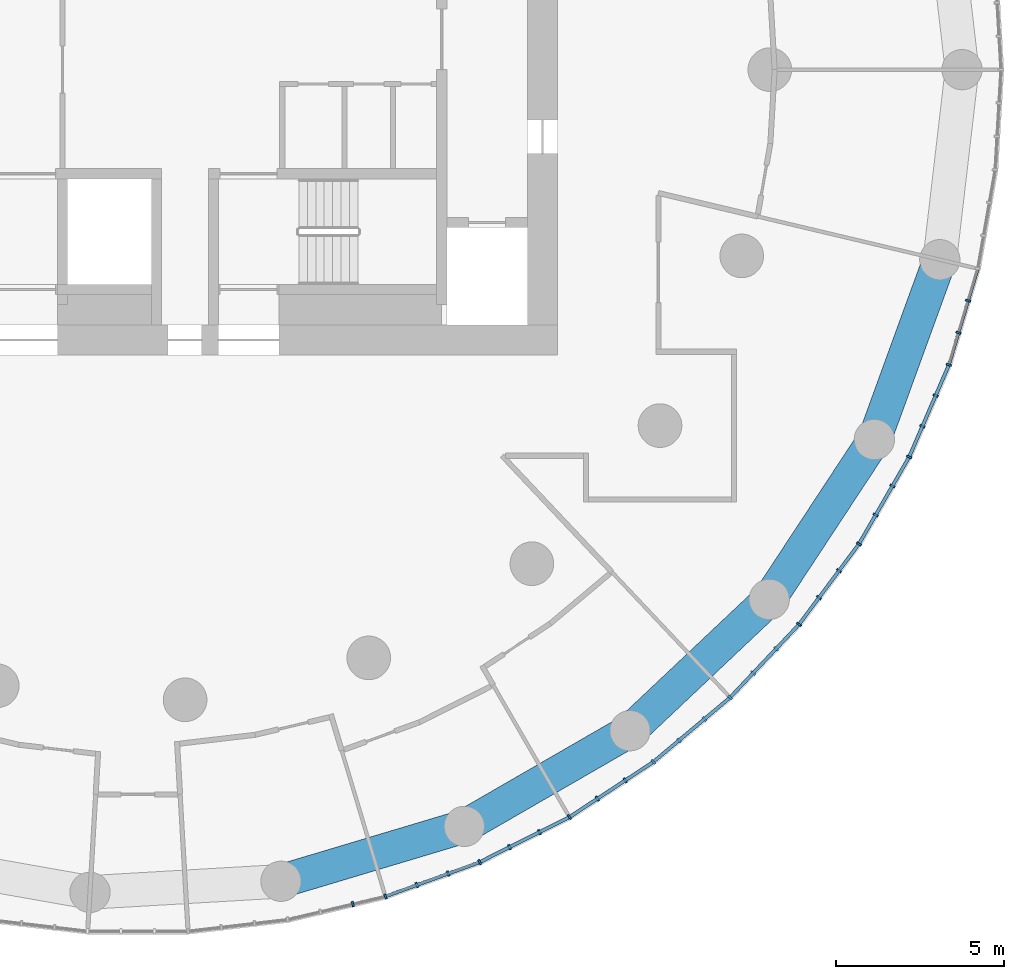
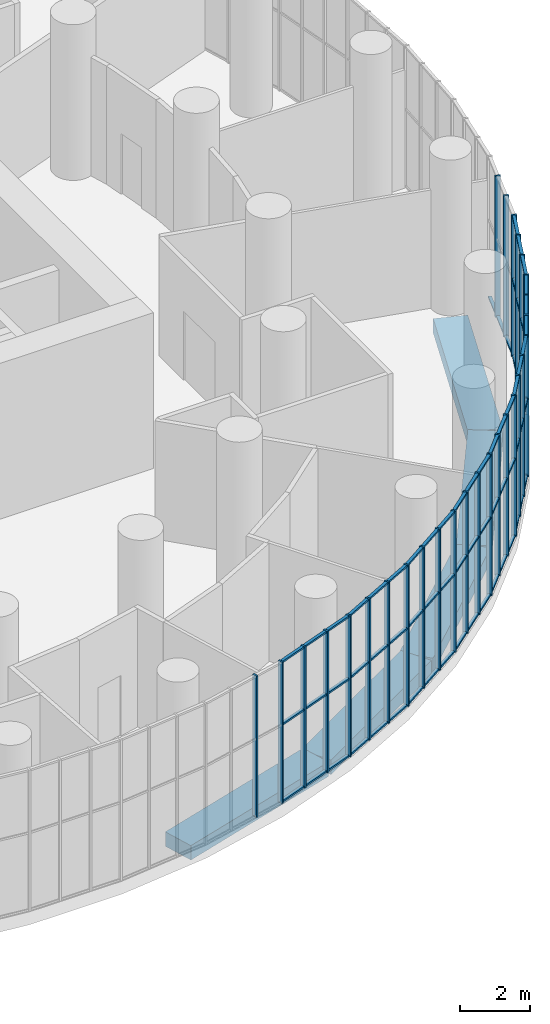
# One storey, part 5 of 21: 53 members, 5 beams, 10 elements without a shape of their own.
"""IFC4 building model written with IfcOpenShell, lengths in metres."""

from ifc_helpers import new_model, si_unit, direction, frame, origin, origin_2d, place, context, subcontext, project, spatial, rectangle, extrude, material, layer, layer_set, material_profile, profile_set, type_object, element, aggregate, save


model = new_model("IFC4")

# Units and contexts
model_context = context("Model", 3, precision=1e-05, world=origin(), true_north=direction((0.0, 1.0)))
body_context = subcontext(model_context, "Body", "Model", "MODEL_VIEW")
ifc_project = project(units=[si_unit("LENGTHUNIT", "METRE"), si_unit("AREAUNIT", "SQUARE_METRE"), si_unit("VOLUMEUNIT", "CUBIC_METRE"), si_unit("PLANEANGLEUNIT", "RADIAN"), si_unit("MASSUNIT", "GRAM", prefix="KILO")], contexts=[model_context])

# Site, building, storey
site_placement = place(None, origin())
site = spatial("IfcSite", under=ifc_project, at=site_placement, CompositionType="ELEMENT")
building_placement = place(site_placement, origin())
building = spatial("IfcBuilding", under=site, at=building_placement, Name="Tracery Tower", CompositionType="ELEMENT")
storey_placement = place(building_placement, frame((0.0, 0.0, 219.60009765625)))
storey = spatial("IfcBuildingStorey", under=building, at=storey_placement, Name="L57", CompositionType="ELEMENT", Elevation=219.60009765625)

# Beams
ifc_material_1 = material(Name="Concrete C50/60", Category="concrete")
ifc_material_profile_1 = material_profile(ifc_material_1, rectangle(XDim=1.0, YDim=0.5, at=origin_2d()), Name="RC 1000x500")
ifc_profile_set_1 = profile_set([ifc_material_profile_1], Name="Concrete C50/60")
beam_type = type_object("IfcBeamType", Name="Perimeter band beam 1000x500 under 450 slab", PredefinedType="BEAM", material=ifc_profile_set_1)
for number, where, z_axis, x_axis, name in (
    (1, (4.2626953125, -24.1748046875, -0.7001953125), (0.957985292634, 0.28681732705, 0.0), (-0.28681732705, 0.957985292634, 0.0), "Perimeter beam 1.21 under L57"),
    (2, (9.722900390625, -22.5400390625, -0.7001953125), (0.866022950691, 0.500004248858, 0.0), (-0.500004248858, 0.866022950691, 0.0), "Perimeter beam 1.22 under L57"),
):
    element("IfcBeam", number, at=place(storey_placement, frame(where, z_axis=z_axis, x_axis=x_axis)), inside=storey, type_object=beam_type, Name=name, PredefinedType="BEAM", context=body_context, shape_type="SweptSolid", body=[
        extrude(rectangle(XDim=1.0, YDim=0.5, at=origin_2d()), origin(), (0.0, 0.0, 1.0), 5.69970703125),
    ])
for number, where, z_axis, x_axis, name in (
    (3, (14.658935546875, -19.690185546875, -0.7001953125), (0.727389618263, 0.686224703172, 0.0), (-0.686224703172, 0.727389618263, 0.0), "Perimeter beam 1.23 under L57"),
    (4, (18.8046875, -15.779052734375, -0.7001953125), (0.549489832182, 0.835500403548, 0.0), (-0.835500403548, 0.549489832182, 0.0), "Perimeter beam 1.24 under L57"),
):
    element("IfcBeam", number, at=place(storey_placement, frame(where, z_axis=z_axis, x_axis=x_axis)), inside=storey, type_object=beam_type, Name=name, PredefinedType="BEAM", context=body_context, shape_type="SweptSolid", body=[
        extrude(rectangle(XDim=1.0, YDim=0.5, at=origin_2d()), origin(), (0.0, 0.0, 1.0), 5.699462890625),
    ])
beam_placement = place(storey_placement, frame((21.9365234375, -11.01708984375, -0.7001953125), z_axis=(0.342028502279, 0.939689578334, 0.0), x_axis=(-0.939689578334, 0.342028502279, 0.0)))
element("IfcBeam", 5, at=beam_placement, inside=storey, type_object=beam_type, Name="Perimeter beam 1.25 under L57", PredefinedType="BEAM", context=body_context, shape_type="SweptSolid", body=[
    extrude(rectangle(XDim=1.0, YDim=0.5, at=origin_2d()), origin(), (0.0, 0.0, 1.0), 5.69970703125),
])

# Curtain wall, member
ifc_material_2 = material(Name="Aluminium curtain wall with tinted glass", Category="aluminium")
ifc_layer = layer(ifc_material_2, 0.159912109375)
ifc_layer_set = layer_set([ifc_layer], Name="Sky lounge 2 tracery curtain wall")
curtain_wall_type = type_object("IfcCurtainWallType", Name="Sky lounge 2 tracery curtain wall", PredefinedType="NOTDEFINED", material=ifc_layer_set)
curtain_wall_1_placement = place(storey_placement, origin())
curtain_wall_1 = element("IfcCurtainWall", 6, at=curtain_wall_1_placement, inside=storey, type_object=curtain_wall_type, Name="Sky lounge 2 curtain wall run 43", PredefinedType="NOTDEFINED")
ifc_material_3 = material(Name="Aluminium, bronze anodised", Category="aluminium")
ifc_material_profile_2 = material_profile(ifc_material_3, rectangle(XDim=0.159912109375, YDim=0.06005859375, at=origin_2d()), Name="AL 60x160")
ifc_profile_set_2 = profile_set([ifc_material_profile_2], Name="Aluminium, bronze anodised")
member_type_1 = type_object("IfcMemberType", Name="Sky lounge 2 mullion 60 x 160", PredefinedType="MULLION", material=ifc_profile_set_2)
member_1_placement = place(storey_placement, frame((6.4033203125, -24.857421875, 0.0), z_axis=(0.0, 0.0, 1.0), x_axis=(-0.230615870737, 0.973044870581, 0.0)))
member_1 = element("IfcMember", 7, at=member_1_placement, type_object=member_type_1, Name="Sky lounge 2 curtain wall run 43 mullion 3", PredefinedType="MULLION", context=body_context, shape_type="SweptSolid", body=[
    extrude(rectangle(XDim=0.159912109375, YDim=0.06005859375, at=origin_2d()), origin(), (0.0, 0.0, 1.0), 4.89990234375),
])
aggregate(curtain_wall_1, [member_1])

# Curtain wall, members
curtain_wall_2_placement = place(storey_placement, origin())
curtain_wall_2 = element("IfcCurtainWall", 8, at=curtain_wall_2_placement, inside=storey, type_object=curtain_wall_type, Name="Sky lounge 2 curtain wall run 44", PredefinedType="NOTDEFINED")
member_2_placement = place(storey_placement, frame((7.373046875, -24.62744140625, 0.0), z_axis=(0.0, 0.0, 1.0), x_axis=(-0.342020143326, 0.939692620786, 0.0)))
member_2 = element("IfcMember", 9, at=member_2_placement, type_object=member_type_1, Name="Sky lounge 2 curtain wall run 44 mullion 1", PredefinedType="MULLION", context=body_context, shape_type="SweptSolid", body=[
    extrude(rectangle(XDim=0.159912109375, YDim=0.06005859375, at=origin_2d()), origin(), (0.0, 0.0, 1.0), 4.89990234375),
])
member_3_placement = place(storey_placement, frame((8.309326171875, -24.28662109375, 0.0), z_axis=(0.0, 0.0, 1.0), x_axis=(-0.342020143326, 0.939692620786, 0.0)))
member_3 = element("IfcMember", 10, at=member_3_placement, type_object=member_type_1, Name="Sky lounge 2 curtain wall run 44 mullion 2", PredefinedType="MULLION", context=body_context, shape_type="SweptSolid", body=[
    extrude(rectangle(XDim=0.159912109375, YDim=0.06005859375, at=origin_2d()), origin(), (0.0, 0.0, 1.0), 4.89990234375),
])
member_4_placement = place(storey_placement, frame((9.245849609375, -23.94580078125, 0.0), z_axis=(0.0, 0.0, 1.0), x_axis=(-0.342020143326, 0.939692620786, 0.0)))
member_4 = element("IfcMember", 11, at=member_4_placement, type_object=member_type_1, Name="Sky lounge 2 curtain wall run 44 mullion 3", PredefinedType="MULLION", context=body_context, shape_type="SweptSolid", body=[
    extrude(rectangle(XDim=0.159912109375, YDim=0.06005859375, at=origin_2d()), origin(), (0.0, 0.0, 1.0), 4.89990234375),
])

curtain_wall_3_placement = place(storey_placement, origin())
curtain_wall_3 = element("IfcCurtainWall", 12, at=curtain_wall_3_placement, inside=storey, type_object=curtain_wall_type, Name="Sky lounge 2 curtain wall run 45", PredefinedType="NOTDEFINED")
member_5_placement = place(storey_placement, frame((10.18212890625, -23.60498046875, 0.0), z_axis=(0.0, 0.0, 1.0), x_axis=(-0.448799180206, 0.893632640321, 0.0)))
member_5 = element("IfcMember", 13, at=member_5_placement, type_object=member_type_1, Name="Sky lounge 2 curtain wall run 45 mullion 1", PredefinedType="MULLION", context=body_context, shape_type="SweptSolid", body=[
    extrude(rectangle(XDim=0.159912109375, YDim=0.06005859375, at=origin_2d()), origin(), (0.0, 0.0, 1.0), 4.89990234375),
])
member_6_placement = place(storey_placement, frame((11.07275390625, -23.157958984375, 0.0), z_axis=(0.0, 0.0, 1.0), x_axis=(-0.448799180206, 0.893632640321, 0.0)))
member_6 = element("IfcMember", 14, at=member_6_placement, type_object=member_type_1, Name="Sky lounge 2 curtain wall run 45 mullion 2", PredefinedType="MULLION", context=body_context, shape_type="SweptSolid", body=[
    extrude(rectangle(XDim=0.159912109375, YDim=0.06005859375, at=origin_2d()), origin(), (0.0, 0.0, 1.0), 4.89990234375),
])
member_7_placement = place(storey_placement, frame((11.96337890625, -22.710693359375, 0.0), z_axis=(0.0, 0.0, 1.0), x_axis=(-0.448799180206, 0.893632640321, 0.0)))
member_7 = element("IfcMember", 15, at=member_7_placement, type_object=member_type_1, Name="Sky lounge 2 curtain wall run 45 mullion 3", PredefinedType="MULLION", context=body_context, shape_type="SweptSolid", body=[
    extrude(rectangle(XDim=0.159912109375, YDim=0.06005859375, at=origin_2d()), origin(), (0.0, 0.0, 1.0), 4.89990234375),
])

curtain_wall_4_placement = place(storey_placement, origin())
curtain_wall_4 = element("IfcCurtainWall", 16, at=curtain_wall_4_placement, inside=storey, type_object=curtain_wall_type, Name="Sky lounge 2 curtain wall run 46", PredefinedType="NOTDEFINED")
member_8_placement = place(storey_placement, frame((12.853759765625, -22.263427734375, 0.0), z_axis=(0.0, 0.0, 1.0), x_axis=(-0.549508978066, 0.835487811416, 0.0)))
member_8 = element("IfcMember", 17, at=member_8_placement, type_object=member_type_1, Name="Sky lounge 2 curtain wall run 46 mullion 1", PredefinedType="MULLION", context=body_context, shape_type="SweptSolid", body=[
    extrude(rectangle(XDim=0.159912109375, YDim=0.06005859375, at=origin_2d()), origin(), (0.0, 0.0, 1.0), 4.89990234375),
])
member_9_placement = place(storey_placement, frame((13.686279296875, -21.7158203125, 0.0), z_axis=(0.0, 0.0, 1.0), x_axis=(-0.549508978066, 0.835487811416, 0.0)))
member_9 = element("IfcMember", 18, at=member_9_placement, type_object=member_type_1, Name="Sky lounge 2 curtain wall run 46 mullion 2", PredefinedType="MULLION", context=body_context, shape_type="SweptSolid", body=[
    extrude(rectangle(XDim=0.159912109375, YDim=0.06005859375, at=origin_2d()), origin(), (0.0, 0.0, 1.0), 4.89990234375),
])
member_10_placement = place(storey_placement, frame((14.518798828125, -21.168212890625, 0.0), z_axis=(0.0, 0.0, 1.0), x_axis=(-0.549508978066, 0.835487811416, 0.0)))
member_10 = element("IfcMember", 19, at=member_10_placement, type_object=member_type_1, Name="Sky lounge 2 curtain wall run 46 mullion 3", PredefinedType="MULLION", context=body_context, shape_type="SweptSolid", body=[
    extrude(rectangle(XDim=0.159912109375, YDim=0.06005859375, at=origin_2d()), origin(), (0.0, 0.0, 1.0), 4.89990234375),
])

curtain_wall_5_placement = place(storey_placement, origin())
curtain_wall_5 = element("IfcCurtainWall", 20, at=curtain_wall_5_placement, inside=storey, type_object=curtain_wall_type, Name="Sky lounge 2 curtain wall run 47", PredefinedType="NOTDEFINED")
member_11_placement = place(storey_placement, frame((15.3515625, -20.62060546875, 0.0), z_axis=(0.0, 0.0, 1.0), x_axis=(-0.642787609687, 0.766044443119, 0.0)))
member_11 = element("IfcMember", 21, at=member_11_placement, type_object=member_type_1, Name="Sky lounge 2 curtain wall run 47 mullion 1", PredefinedType="MULLION", context=body_context, shape_type="SweptSolid", body=[
    extrude(rectangle(XDim=0.159912109375, YDim=0.06005859375, at=origin_2d()), origin(), (0.0, 0.0, 1.0), 4.89990234375),
])
member_12_placement = place(storey_placement, frame((16.11474609375, -19.97998046875, 0.0), z_axis=(0.0, 0.0, 1.0), x_axis=(-0.642787609687, 0.766044443119, 0.0)))
member_12 = element("IfcMember", 22, at=member_12_placement, type_object=member_type_1, Name="Sky lounge 2 curtain wall run 47 mullion 2", PredefinedType="MULLION", context=body_context, shape_type="SweptSolid", body=[
    extrude(rectangle(XDim=0.159912109375, YDim=0.06005859375, at=origin_2d()), origin(), (0.0, 0.0, 1.0), 4.89990234375),
])
member_13_placement = place(storey_placement, frame((16.878173828125, -19.339599609375, 0.0), z_axis=(0.0, 0.0, 1.0), x_axis=(-0.642787609687, 0.766044443119, 0.0)))
member_13 = element("IfcMember", 23, at=member_13_placement, type_object=member_type_1, Name="Sky lounge 2 curtain wall run 47 mullion 3", PredefinedType="MULLION", context=body_context, shape_type="SweptSolid", body=[
    extrude(rectangle(XDim=0.159912109375, YDim=0.06005859375, at=origin_2d()), origin(), (0.0, 0.0, 1.0), 4.89990234375),
])

curtain_wall_6_placement = place(storey_placement, origin())
curtain_wall_6 = element("IfcCurtainWall", 24, at=curtain_wall_6_placement, inside=storey, type_object=curtain_wall_type, Name="Sky lounge 2 curtain wall run 48", PredefinedType="NOTDEFINED")
member_14_placement = place(storey_placement, frame((17.6416015625, -18.698974609375, 0.0), z_axis=(0.0, 0.0, 1.0), x_axis=(-0.727373641577, 0.686241637865, 0.0)))
member_14 = element("IfcMember", 25, at=member_14_placement, type_object=member_type_1, Name="Sky lounge 2 curtain wall run 48 mullion 1", PredefinedType="MULLION", context=body_context, shape_type="SweptSolid", body=[
    extrude(rectangle(XDim=0.159912109375, YDim=0.06005859375, at=origin_2d()), origin(), (0.0, 0.0, 1.0), 4.89990234375),
])
member_15_placement = place(storey_placement, frame((18.325439453125, -17.97412109375, 0.0), z_axis=(0.0, 0.0, 1.0), x_axis=(-0.727373641577, 0.686241637865, 0.0)))
member_15 = element("IfcMember", 26, at=member_15_placement, type_object=member_type_1, Name="Sky lounge 2 curtain wall run 48 mullion 2", PredefinedType="MULLION", context=body_context, shape_type="SweptSolid", body=[
    extrude(rectangle(XDim=0.159912109375, YDim=0.06005859375, at=origin_2d()), origin(), (0.0, 0.0, 1.0), 4.89990234375),
])
member_16_placement = place(storey_placement, frame((19.00927734375, -17.249267578125, 0.0), z_axis=(0.0, 0.0, 1.0), x_axis=(-0.727373641577, 0.686241637865, 0.0)))
member_16 = element("IfcMember", 27, at=member_16_placement, type_object=member_type_1, Name="Sky lounge 2 curtain wall run 48 mullion 3", PredefinedType="MULLION", context=body_context, shape_type="SweptSolid", body=[
    extrude(rectangle(XDim=0.159912109375, YDim=0.06005859375, at=origin_2d()), origin(), (0.0, 0.0, 1.0), 4.89990234375),
])

curtain_wall_7_placement = place(storey_placement, origin())
curtain_wall_7 = element("IfcCurtainWall", 28, at=curtain_wall_7_placement, inside=storey, type_object=curtain_wall_type, Name="Sky lounge 2 curtain wall run 49", PredefinedType="NOTDEFINED")
member_17_placement = place(storey_placement, frame((19.693115234375, -16.5244140625, 0.0), z_axis=(0.0, 0.0, 1.0), x_axis=(-0.802123192752, 0.597158591707, 0.0)))
member_17 = element("IfcMember", 29, at=member_17_placement, type_object=member_type_1, Name="Sky lounge 2 curtain wall run 49 mullion 1", PredefinedType="MULLION", context=body_context, shape_type="SweptSolid", body=[
    extrude(rectangle(XDim=0.159912109375, YDim=0.06005859375, at=origin_2d()), origin(), (0.0, 0.0, 1.0), 4.89990234375),
])
member_18_placement = place(storey_placement, frame((20.2880859375, -15.72509765625, 0.0), z_axis=(0.0, 0.0, 1.0), x_axis=(-0.802123192752, 0.597158591707, 0.0)))
member_18 = element("IfcMember", 30, at=member_18_placement, type_object=member_type_1, Name="Sky lounge 2 curtain wall run 49 mullion 2", PredefinedType="MULLION", context=body_context, shape_type="SweptSolid", body=[
    extrude(rectangle(XDim=0.159912109375, YDim=0.06005859375, at=origin_2d()), origin(), (0.0, 0.0, 1.0), 4.89990234375),
])
member_19_placement = place(storey_placement, frame((20.88330078125, -14.92578125, 0.0), z_axis=(0.0, 0.0, 1.0), x_axis=(-0.802123192752, 0.597158591707, 0.0)))
member_19 = element("IfcMember", 31, at=member_19_placement, type_object=member_type_1, Name="Sky lounge 2 curtain wall run 49 mullion 3", PredefinedType="MULLION", context=body_context, shape_type="SweptSolid", body=[
    extrude(rectangle(XDim=0.159912109375, YDim=0.06005859375, at=origin_2d()), origin(), (0.0, 0.0, 1.0), 4.89990234375),
])

curtain_wall_8_placement = place(storey_placement, origin())
curtain_wall_8 = element("IfcCurtainWall", 32, at=curtain_wall_8_placement, inside=storey, type_object=curtain_wall_type, Name="Sky lounge 2 curtain wall run 50", PredefinedType="NOTDEFINED")
member_20_placement = place(storey_placement, frame((21.478271484375, -14.12646484375, 0.0), z_axis=(0.0, 0.0, 1.0), x_axis=(-0.866025403784, 0.5, 0.0)))
member_20 = element("IfcMember", 33, at=member_20_placement, type_object=member_type_1, Name="Sky lounge 2 curtain wall run 50 mullion 1", PredefinedType="MULLION", context=body_context, shape_type="SweptSolid", body=[
    extrude(rectangle(XDim=0.159912109375, YDim=0.06005859375, at=origin_2d()), origin(), (0.0, 0.0, 1.0), 4.89990234375),
])
member_21_placement = place(storey_placement, frame((21.9765625, -13.263427734375, 0.0), z_axis=(0.0, 0.0, 1.0), x_axis=(-0.866025403784, 0.5, 0.0)))
member_21 = element("IfcMember", 34, at=member_21_placement, type_object=member_type_1, Name="Sky lounge 2 curtain wall run 50 mullion 2", PredefinedType="MULLION", context=body_context, shape_type="SweptSolid", body=[
    extrude(rectangle(XDim=0.159912109375, YDim=0.06005859375, at=origin_2d()), origin(), (0.0, 0.0, 1.0), 4.89990234375),
])
member_22_placement = place(storey_placement, frame((22.474853515625, -12.400634765625, 0.0), z_axis=(0.0, 0.0, 1.0), x_axis=(-0.866025403784, 0.5, 0.0)))
member_22 = element("IfcMember", 35, at=member_22_placement, type_object=member_type_1, Name="Sky lounge 2 curtain wall run 50 mullion 3", PredefinedType="MULLION", context=body_context, shape_type="SweptSolid", body=[
    extrude(rectangle(XDim=0.159912109375, YDim=0.06005859375, at=origin_2d()), origin(), (0.0, 0.0, 1.0), 4.89990234375),
])

curtain_wall_9_placement = place(storey_placement, origin())
curtain_wall_9 = element("IfcCurtainWall", 36, at=curtain_wall_9_placement, inside=storey, type_object=curtain_wall_type, Name="Sky lounge 2 curtain wall run 51", PredefinedType="NOTDEFINED")
member_23_placement = place(storey_placement, frame((22.97314453125, -11.53759765625, 0.0), z_axis=(0.0, 0.0, 1.0), x_axis=(-0.918216106883, 0.396079766034, 0.0)))
member_23 = element("IfcMember", 37, at=member_23_placement, type_object=member_type_1, Name="Sky lounge 2 curtain wall run 51 mullion 1", PredefinedType="MULLION", context=body_context, shape_type="SweptSolid", body=[
    extrude(rectangle(XDim=0.159912109375, YDim=0.06005859375, at=origin_2d()), origin(), (0.0, 0.0, 1.0), 4.89990234375),
])
member_24_placement = place(storey_placement, frame((23.367919921875, -10.62255859375, 0.0), z_axis=(0.0, 0.0, 1.0), x_axis=(-0.918216106883, 0.396079766034, 0.0)))
member_24 = element("IfcMember", 38, at=member_24_placement, type_object=member_type_1, Name="Sky lounge 2 curtain wall run 51 mullion 2", PredefinedType="MULLION", context=body_context, shape_type="SweptSolid", body=[
    extrude(rectangle(XDim=0.159912109375, YDim=0.06005859375, at=origin_2d()), origin(), (0.0, 0.0, 1.0), 4.89990234375),
])
member_25_placement = place(storey_placement, frame((23.762451171875, -9.70751953125, 0.0), z_axis=(0.0, 0.0, 1.0), x_axis=(-0.918216106883, 0.396079766034, 0.0)))
member_25 = element("IfcMember", 39, at=member_25_placement, type_object=member_type_1, Name="Sky lounge 2 curtain wall run 51 mullion 3", PredefinedType="MULLION", context=body_context, shape_type="SweptSolid", body=[
    extrude(rectangle(XDim=0.159912109375, YDim=0.06005859375, at=origin_2d()), origin(), (0.0, 0.0, 1.0), 4.89990234375),
])

curtain_wall_10_placement = place(storey_placement, origin())
curtain_wall_10 = element("IfcCurtainWall", 40, at=curtain_wall_10_placement, inside=storey, type_object=curtain_wall_type, Name="Sky lounge 2 curtain wall run 52", PredefinedType="NOTDEFINED")
member_26_placement = place(storey_placement, frame((24.1572265625, -8.79248046875, 0.0), z_axis=(0.0, 0.0, 1.0), x_axis=(-0.957989512314, 0.286803232717, 0.0)))
member_26 = element("IfcMember", 41, at=member_26_placement, type_object=member_type_1, Name="Sky lounge 2 curtain wall run 52 mullion 1", PredefinedType="MULLION", context=body_context, shape_type="SweptSolid", body=[
    extrude(rectangle(XDim=0.159912109375, YDim=0.06005859375, at=origin_2d()), origin(), (0.0, 0.0, 1.0), 4.89990234375),
])
member_27_placement = place(storey_placement, frame((24.443115234375, -7.837890625, 0.0), z_axis=(0.0, 0.0, 1.0), x_axis=(-0.957989512314, 0.286803232717, 0.0)))
member_27 = element("IfcMember", 42, at=member_27_placement, type_object=member_type_1, Name="Sky lounge 2 curtain wall run 52 mullion 2", PredefinedType="MULLION", context=body_context, shape_type="SweptSolid", body=[
    extrude(rectangle(XDim=0.159912109375, YDim=0.06005859375, at=origin_2d()), origin(), (0.0, 0.0, 1.0), 4.89990234375),
])
member_28_placement = place(storey_placement, frame((24.728759765625, -6.88330078125, 0.0), z_axis=(0.0, 0.0, 1.0), x_axis=(-0.957989512314, 0.286803232717, 0.0)))
member_28 = element("IfcMember", 43, at=member_28_placement, type_object=member_type_1, Name="Sky lounge 2 curtain wall run 52 mullion 3", PredefinedType="MULLION", context=body_context, shape_type="SweptSolid", body=[
    extrude(rectangle(XDim=0.159912109375, YDim=0.06005859375, at=origin_2d()), origin(), (0.0, 0.0, 1.0), 4.89990234375),
])

# Member
ifc_material_4 = material(Name="Aluminium, bronze anodised", Category="aluminium")
ifc_material_profile_3 = material_profile(ifc_material_4, rectangle(XDim=0.10009765625, YDim=0.06005859375, at=origin_2d()), Name="AL 60x100")
ifc_profile_set_3 = profile_set([ifc_material_profile_3], Name="Aluminium, bronze anodised")
member_type_2 = type_object("IfcMemberType", Name="Sky lounge 2 transom 60 x 100", PredefinedType="USERDEFINED", material=ifc_profile_set_3)
member_29_placement = place(storey_placement, frame((7.401123046875, -24.6171875, 0.02978515625), z_axis=(0.939696058731, 0.342010697502, 0.0), x_axis=(-0.342010697502, 0.939696058731, 0.0)))
member_29 = element("IfcMember", 44, at=member_29_placement, type_object=member_type_2, Name="Sky lounge 2 curtain wall run 44 transom 1", ObjectType="TRANSOM", PredefinedType="USERDEFINED", context=body_context, shape_type="SweptSolid", body=[
    extrude(rectangle(XDim=0.10009765625, YDim=0.06005859375, at=origin_2d()), origin(), (0.0, 0.0, 1.0), 2.9296875),
])

member_30_placement = place(storey_placement, frame((7.401123046875, -24.6171875, 2.699951171875), z_axis=(0.939696058731, 0.342010697502, 0.0), x_axis=(-0.342010697502, 0.939696058731, 0.0)))
member_30 = element("IfcMember", 45, at=member_30_placement, type_object=member_type_2, Name="Sky lounge 2 curtain wall run 44 transom 2", ObjectType="TRANSOM", PredefinedType="USERDEFINED", context=body_context, shape_type="SweptSolid", body=[
    extrude(rectangle(XDim=0.10009765625, YDim=0.06005859375, at=origin_2d()), origin(), (0.0, 0.0, 1.0), 2.9296875),
])

member_31_placement = place(storey_placement, frame((7.401123046875, -24.6171875, 4.869873046875), z_axis=(0.939696058731, 0.342010697502, 0.0), x_axis=(-0.342010697502, 0.939696058731, 0.0)))
member_31 = element("IfcMember", 46, at=member_31_placement, type_object=member_type_2, Name="Sky lounge 2 curtain wall run 44 transom 3", ObjectType="TRANSOM", PredefinedType="USERDEFINED", context=body_context, shape_type="SweptSolid", body=[
    extrude(rectangle(XDim=0.10009765625, YDim=0.06005859375, at=origin_2d()), origin(), (0.0, 0.0, 1.0), 2.9296875),
])

aggregate(curtain_wall_2, [member_2, member_3, member_4, member_29, member_30, member_31])

member_32_placement = place(storey_placement, frame((10.208984375, -23.591552734375, 0.02978515625), z_axis=(0.893642433599, 0.448779679654, 0.0), x_axis=(-0.448779679654, 0.893642433599, 0.0)))
member_32 = element("IfcMember", 47, at=member_32_placement, type_object=member_type_2, Name="Sky lounge 2 curtain wall run 45 transom 1", ObjectType="TRANSOM", PredefinedType="USERDEFINED", context=body_context, shape_type="SweptSolid", body=[
    extrude(rectangle(XDim=0.10009765625, YDim=0.06005859375, at=origin_2d()), origin(), (0.0, 0.0, 1.0), 2.929443359375),
])

member_33_placement = place(storey_placement, frame((10.208984375, -23.591552734375, 2.699951171875), z_axis=(0.893642433599, 0.448779679654, 0.0), x_axis=(-0.448779679654, 0.893642433599, 0.0)))
member_33 = element("IfcMember", 48, at=member_33_placement, type_object=member_type_2, Name="Sky lounge 2 curtain wall run 45 transom 2", ObjectType="TRANSOM", PredefinedType="USERDEFINED", context=body_context, shape_type="SweptSolid", body=[
    extrude(rectangle(XDim=0.10009765625, YDim=0.06005859375, at=origin_2d()), origin(), (0.0, 0.0, 1.0), 2.929443359375),
])

member_34_placement = place(storey_placement, frame((10.208984375, -23.591552734375, 4.869873046875), z_axis=(0.893642433599, 0.448779679654, 0.0), x_axis=(-0.448779679654, 0.893642433599, 0.0)))
member_34 = element("IfcMember", 49, at=member_34_placement, type_object=member_type_2, Name="Sky lounge 2 curtain wall run 45 transom 3", ObjectType="TRANSOM", PredefinedType="USERDEFINED", context=body_context, shape_type="SweptSolid", body=[
    extrude(rectangle(XDim=0.10009765625, YDim=0.06005859375, at=origin_2d()), origin(), (0.0, 0.0, 1.0), 2.929443359375),
])

aggregate(curtain_wall_3, [member_5, member_6, member_7, member_32, member_33, member_34])

member_35_placement = place(storey_placement, frame((12.87890625, -22.246826171875, 0.02978515625), z_axis=(0.835508711144, 0.549477200257, 0.0), x_axis=(-0.549477200257, 0.835508711144, 0.0)))
member_35 = element("IfcMember", 50, at=member_35_placement, type_object=member_type_2, Name="Sky lounge 2 curtain wall run 46 transom 1", ObjectType="TRANSOM", PredefinedType="USERDEFINED", context=body_context, shape_type="SweptSolid", body=[
    extrude(rectangle(XDim=0.10009765625, YDim=0.06005859375, at=origin_2d()), origin(), (0.0, 0.0, 1.0), 2.929443359375),
])

member_36_placement = place(storey_placement, frame((12.87890625, -22.246826171875, 2.699951171875), z_axis=(0.835508711144, 0.549477200257, 0.0), x_axis=(-0.549477200257, 0.835508711144, 0.0)))
member_36 = element("IfcMember", 51, at=member_36_placement, type_object=member_type_2, Name="Sky lounge 2 curtain wall run 46 transom 2", ObjectType="TRANSOM", PredefinedType="USERDEFINED", context=body_context, shape_type="SweptSolid", body=[
    extrude(rectangle(XDim=0.10009765625, YDim=0.06005859375, at=origin_2d()), origin(), (0.0, 0.0, 1.0), 2.929443359375),
])

member_37_placement = place(storey_placement, frame((12.87890625, -22.246826171875, 4.869873046875), z_axis=(0.835508711144, 0.549477200257, 0.0), x_axis=(-0.549477200257, 0.835508711144, 0.0)))
member_37 = element("IfcMember", 52, at=member_37_placement, type_object=member_type_2, Name="Sky lounge 2 curtain wall run 46 transom 3", ObjectType="TRANSOM", PredefinedType="USERDEFINED", context=body_context, shape_type="SweptSolid", body=[
    extrude(rectangle(XDim=0.10009765625, YDim=0.06005859375, at=origin_2d()), origin(), (0.0, 0.0, 1.0), 2.929443359375),
])

aggregate(curtain_wall_4, [member_8, member_9, member_10, member_35, member_36, member_37])

member_38_placement = place(storey_placement, frame((15.37451171875, -20.601318359375, 0.02978515625), z_axis=(0.766044599457, 0.64278742337, 0.0), x_axis=(-0.64278742337, 0.766044599457, 0.0)))
member_38 = element("IfcMember", 53, at=member_38_placement, type_object=member_type_2, Name="Sky lounge 2 curtain wall run 47 transom 1", ObjectType="TRANSOM", PredefinedType="USERDEFINED", context=body_context, shape_type="SweptSolid", body=[
    extrude(rectangle(XDim=0.10009765625, YDim=0.06005859375, at=origin_2d()), origin(), (0.0, 0.0, 1.0), 2.929443359375),
])

member_39_placement = place(storey_placement, frame((15.37451171875, -20.601318359375, 2.699951171875), z_axis=(0.766044599457, 0.64278742337, 0.0), x_axis=(-0.64278742337, 0.766044599457, 0.0)))
member_39 = element("IfcMember", 54, at=member_39_placement, type_object=member_type_2, Name="Sky lounge 2 curtain wall run 47 transom 2", ObjectType="TRANSOM", PredefinedType="USERDEFINED", context=body_context, shape_type="SweptSolid", body=[
    extrude(rectangle(XDim=0.10009765625, YDim=0.06005859375, at=origin_2d()), origin(), (0.0, 0.0, 1.0), 2.929443359375),
])

member_40_placement = place(storey_placement, frame((15.37451171875, -20.601318359375, 4.869873046875), z_axis=(0.766044599457, 0.64278742337, 0.0), x_axis=(-0.64278742337, 0.766044599457, 0.0)))
member_40 = element("IfcMember", 55, at=member_40_placement, type_object=member_type_2, Name="Sky lounge 2 curtain wall run 47 transom 3", ObjectType="TRANSOM", PredefinedType="USERDEFINED", context=body_context, shape_type="SweptSolid", body=[
    extrude(rectangle(XDim=0.10009765625, YDim=0.06005859375, at=origin_2d()), origin(), (0.0, 0.0, 1.0), 2.929443359375),
])

aggregate(curtain_wall_5, [member_11, member_12, member_13, member_38, member_39, member_40])

member_41_placement = place(storey_placement, frame((17.662109375, -18.67724609375, 0.02978515625), z_axis=(0.686266182252, 0.727350484359, 0.0), x_axis=(-0.727350484359, 0.686266182252, 0.0)))
member_41 = element("IfcMember", 56, at=member_41_placement, type_object=member_type_2, Name="Sky lounge 2 curtain wall run 48 transom 1", ObjectType="TRANSOM", PredefinedType="USERDEFINED", context=body_context, shape_type="SweptSolid", body=[
    extrude(rectangle(XDim=0.10009765625, YDim=0.06005859375, at=origin_2d()), origin(), (0.0, 0.0, 1.0), 2.9296875),
])

member_42_placement = place(storey_placement, frame((17.662109375, -18.67724609375, 2.699951171875), z_axis=(0.686266182252, 0.727350484359, 0.0), x_axis=(-0.727350484359, 0.686266182252, 0.0)))
member_42 = element("IfcMember", 57, at=member_42_placement, type_object=member_type_2, Name="Sky lounge 2 curtain wall run 48 transom 2", ObjectType="TRANSOM", PredefinedType="USERDEFINED", context=body_context, shape_type="SweptSolid", body=[
    extrude(rectangle(XDim=0.10009765625, YDim=0.06005859375, at=origin_2d()), origin(), (0.0, 0.0, 1.0), 2.9296875),
])

member_43_placement = place(storey_placement, frame((17.662109375, -18.67724609375, 4.869873046875), z_axis=(0.686266182252, 0.727350484359, 0.0), x_axis=(-0.727350484359, 0.686266182252, 0.0)))
member_43 = element("IfcMember", 58, at=member_43_placement, type_object=member_type_2, Name="Sky lounge 2 curtain wall run 48 transom 3", ObjectType="TRANSOM", PredefinedType="USERDEFINED", context=body_context, shape_type="SweptSolid", body=[
    extrude(rectangle(XDim=0.10009765625, YDim=0.06005859375, at=origin_2d()), origin(), (0.0, 0.0, 1.0), 2.9296875),
])

aggregate(curtain_wall_6, [member_14, member_15, member_16, member_41, member_42, member_43])

member_44_placement = place(storey_placement, frame((19.7109375, -16.50048828125, 0.02978515625), z_axis=(0.597182879987, 0.802105110226, 0.0), x_axis=(-0.802105110226, 0.597182879987, 0.0)))
member_44 = element("IfcMember", 59, at=member_44_placement, type_object=member_type_2, Name="Sky lounge 2 curtain wall run 49 transom 1", ObjectType="TRANSOM", PredefinedType="USERDEFINED", context=body_context, shape_type="SweptSolid", body=[
    extrude(rectangle(XDim=0.10009765625, YDim=0.06005859375, at=origin_2d()), origin(), (0.0, 0.0, 1.0), 2.9296875),
])

member_45_placement = place(storey_placement, frame((19.7109375, -16.50048828125, 2.699951171875), z_axis=(0.597182879987, 0.802105110226, 0.0), x_axis=(-0.802105110226, 0.597182879987, 0.0)))
member_45 = element("IfcMember", 60, at=member_45_placement, type_object=member_type_2, Name="Sky lounge 2 curtain wall run 49 transom 2", ObjectType="TRANSOM", PredefinedType="USERDEFINED", context=body_context, shape_type="SweptSolid", body=[
    extrude(rectangle(XDim=0.10009765625, YDim=0.06005859375, at=origin_2d()), origin(), (0.0, 0.0, 1.0), 2.9296875),
])

member_46_placement = place(storey_placement, frame((19.7109375, -16.50048828125, 4.869873046875), z_axis=(0.597182879987, 0.802105110226, 0.0), x_axis=(-0.802105110226, 0.597182879987, 0.0)))
member_46 = element("IfcMember", 61, at=member_46_placement, type_object=member_type_2, Name="Sky lounge 2 curtain wall run 49 transom 3", ObjectType="TRANSOM", PredefinedType="USERDEFINED", context=body_context, shape_type="SweptSolid", body=[
    extrude(rectangle(XDim=0.10009765625, YDim=0.06005859375, at=origin_2d()), origin(), (0.0, 0.0, 1.0), 2.9296875),
])

aggregate(curtain_wall_7, [member_17, member_18, member_19, member_44, member_45, member_46])

member_47_placement = place(storey_placement, frame((21.493408203125, -14.1005859375, 0.02978515625), z_axis=(0.499948495998, 0.866055137592, 0.0), x_axis=(-0.866055137592, 0.499948495998, 0.0)))
member_47 = element("IfcMember", 62, at=member_47_placement, type_object=member_type_2, Name="Sky lounge 2 curtain wall run 50 transom 1", ObjectType="TRANSOM", PredefinedType="USERDEFINED", context=body_context, shape_type="SweptSolid", body=[
    extrude(rectangle(XDim=0.10009765625, YDim=0.06005859375, at=origin_2d()), origin(), (0.0, 0.0, 1.0), 2.929443359375),
])

member_48_placement = place(storey_placement, frame((21.493408203125, -14.1005859375, 2.699951171875), z_axis=(0.499948495998, 0.866055137592, 0.0), x_axis=(-0.866055137592, 0.499948495998, 0.0)))
member_48 = element("IfcMember", 63, at=member_48_placement, type_object=member_type_2, Name="Sky lounge 2 curtain wall run 50 transom 2", ObjectType="TRANSOM", PredefinedType="USERDEFINED", context=body_context, shape_type="SweptSolid", body=[
    extrude(rectangle(XDim=0.10009765625, YDim=0.06005859375, at=origin_2d()), origin(), (0.0, 0.0, 1.0), 2.929443359375),
])

member_49_placement = place(storey_placement, frame((21.493408203125, -14.1005859375, 4.869873046875), z_axis=(0.499948495998, 0.866055137592, 0.0), x_axis=(-0.866055137592, 0.499948495998, 0.0)))
member_49 = element("IfcMember", 64, at=member_49_placement, type_object=member_type_2, Name="Sky lounge 2 curtain wall run 50 transom 3", ObjectType="TRANSOM", PredefinedType="USERDEFINED", context=body_context, shape_type="SweptSolid", body=[
    extrude(rectangle(XDim=0.10009765625, YDim=0.06005859375, at=origin_2d()), origin(), (0.0, 0.0, 1.0), 2.929443359375),
])

aggregate(curtain_wall_8, [member_20, member_21, member_22, member_47, member_48, member_49])

member_50_placement = place(storey_placement, frame((22.985107421875, -11.510009765625, 0.02978515625), z_axis=(0.396030490021, 0.918237360912, 0.0), x_axis=(-0.918237360912, 0.396030490021, 0.0)))
member_50 = element("IfcMember", 65, at=member_50_placement, type_object=member_type_2, Name="Sky lounge 2 curtain wall run 51 transom 1", ObjectType="TRANSOM", PredefinedType="USERDEFINED", context=body_context, shape_type="SweptSolid", body=[
    extrude(rectangle(XDim=0.10009765625, YDim=0.06005859375, at=origin_2d()), origin(), (0.0, 0.0, 1.0), 2.929443359375),
])

member_51_placement = place(storey_placement, frame((22.985107421875, -11.510009765625, 2.699951171875), z_axis=(0.396030490021, 0.918237360912, 0.0), x_axis=(-0.918237360912, 0.396030490021, 0.0)))
member_51 = element("IfcMember", 66, at=member_51_placement, type_object=member_type_2, Name="Sky lounge 2 curtain wall run 51 transom 2", ObjectType="TRANSOM", PredefinedType="USERDEFINED", context=body_context, shape_type="SweptSolid", body=[
    extrude(rectangle(XDim=0.10009765625, YDim=0.06005859375, at=origin_2d()), origin(), (0.0, 0.0, 1.0), 2.929443359375),
])

member_52_placement = place(storey_placement, frame((22.985107421875, -11.510009765625, 4.869873046875), z_axis=(0.396030490021, 0.918237360912, 0.0), x_axis=(-0.918237360912, 0.396030490021, 0.0)))
member_52 = element("IfcMember", 67, at=member_52_placement, type_object=member_type_2, Name="Sky lounge 2 curtain wall run 51 transom 3", ObjectType="TRANSOM", PredefinedType="USERDEFINED", context=body_context, shape_type="SweptSolid", body=[
    extrude(rectangle(XDim=0.10009765625, YDim=0.06005859375, at=origin_2d()), origin(), (0.0, 0.0, 1.0), 2.929443359375),
])

aggregate(curtain_wall_9, [member_23, member_24, member_25, member_50, member_51, member_52])

member_53_placement = place(storey_placement, frame((24.165771484375, -8.763671875, 0.02978515625), z_axis=(0.286850874601, 0.957975247979, 0.0), x_axis=(-0.957975247979, 0.286850874601, 0.0)))
member_53 = element("IfcMember", 68, at=member_53_placement, type_object=member_type_2, Name="Sky lounge 2 curtain wall run 52 transom 1", ObjectType="TRANSOM", PredefinedType="USERDEFINED", context=body_context, shape_type="SweptSolid", body=[
    extrude(rectangle(XDim=0.10009765625, YDim=0.06005859375, at=origin_2d()), origin(), (0.0, 0.0, 1.0), 2.929443359375),
])

aggregate(curtain_wall_10, [member_26, member_27, member_28, member_53])

save(model, "model.ifc")
